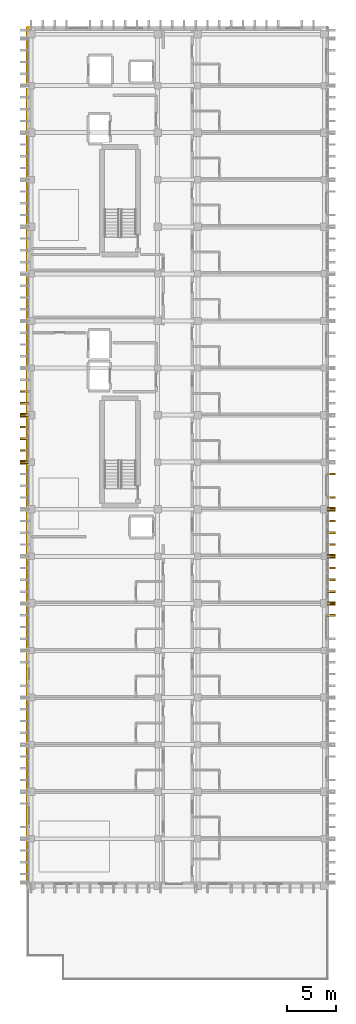
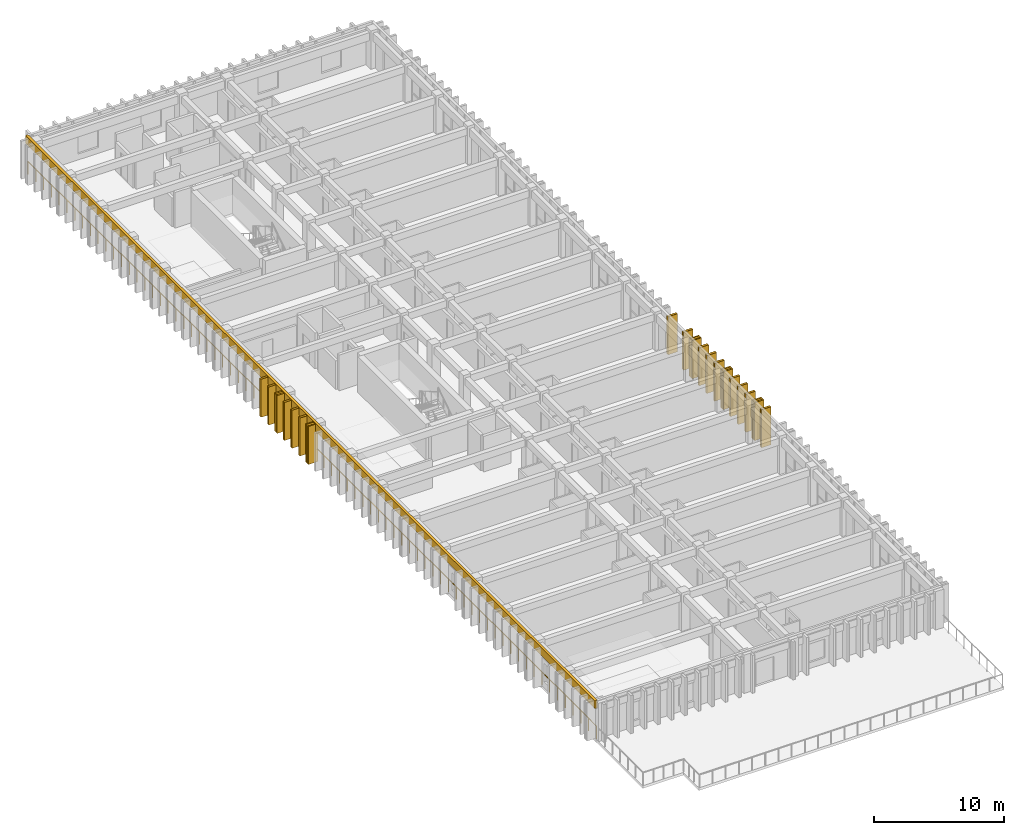
# One storey, part 60 of 64: 20 coverings, 19 shading devices, 1 railing.
"""IFC4 building model written with IfcOpenShell, lengths in metres."""

from ifc_helpers import new_model, si_unit, direction, frame, origin, origin_2d, place, context, subcontext, project, spatial, rectangle, circle, extrude, material, layer, layer_set, type_object, element, save


model = new_model("IFC4")

# Units and contexts
model_context = context("Model", 3, precision=1e-05, world=origin(), true_north=direction((0.0, 1.0)))
body_context = subcontext(model_context, "Body", "Model", "MODEL_VIEW")
ifc_project = project(units=[si_unit("LENGTHUNIT", "METRE"), si_unit("AREAUNIT", "SQUARE_METRE"), si_unit("VOLUMEUNIT", "CUBIC_METRE"), si_unit("PLANEANGLEUNIT", "RADIAN"), si_unit("MASSUNIT", "GRAM", prefix="KILO")], contexts=[model_context])

# Site, building, storey
site_placement = place(None, origin())
site = spatial("IfcSite", under=ifc_project, at=site_placement, CompositionType="ELEMENT")
building_placement = place(site_placement, origin())
building = spatial("IfcBuilding", under=site, at=building_placement, Name="Nakhvara Creek Congress Hotel", CompositionType="ELEMENT")
storey_placement = place(building_placement, frame((0.0, 0.0, 28.199951171875)))
storey = spatial("IfcBuildingStorey", under=building, at=storey_placement, Name="L06", CompositionType="ELEMENT", Elevation=28.199951171875)

# Coverings
ifc_material_1 = material(Name="Honed pale Omani limestone architectural cladding", Category="masonry")
ifc_layer_1 = layer(ifc_material_1, 0.219970703125)
ifc_layer_set_1 = layer_set([ifc_layer_1], Name="Honed pale Omani limestone architectural cladding")
covering_type_1 = type_object("IfcCoveringType", Name="COV-FIN-850", PredefinedType="CLADDING", material=ifc_layer_set_1)
covering_1_placement = place(storey_placement, frame((180.054931640625, 66.0, 0.0), z_axis=(0.0, 0.0, 1.0), x_axis=(0.0, 1.0, 0.0)))
element("IfcCovering", 1, at=covering_1_placement, inside=storey, type_object=covering_type_1, Name="Pale Limestone Fin Cladding CF01-1662", PredefinedType="CLADDING", context=body_context, shape_type="SweptSolid", body=[
    extrude(rectangle(XDim=0.219970703125, YDim=0.85009765625, at=origin_2d()), origin(), (0.0, 0.0, 1.0), 3.56005859375),
])
covering_2_placement = place(storey_placement, frame((180.054931640625, 67.199951171875, 0.0), z_axis=(0.0, 0.0, 1.0), x_axis=(0.0, 1.0, 0.0)))
element("IfcCovering", 2, at=covering_2_placement, inside=storey, type_object=covering_type_1, Name="Pale Limestone Fin Cladding CF01-1664", PredefinedType="CLADDING", context=body_context, shape_type="SweptSolid", body=[
    extrude(rectangle(XDim=0.43994140625, YDim=0.85009765625, at=origin_2d()), origin(), (0.0, 0.0, 1.0), 3.56005859375),
])
for number, where, z_axis, x_axis, name in (
    (3, (180.054931640625, 68.39990234375, 0.0), (0.0, 0.0, 1.0), (0.0, 1.0, 0.0), "Pale Limestone Fin Cladding CF01-1666"),
    (4, (180.054931640625, 69.60009765625, 0.0), (0.0, 0.0, 1.0), (0.0, 1.0, 0.0), "Pale Limestone Fin Cladding CF01-1668"),
    (5, (180.054931640625, 70.800048828125, 0.0), (0.0, 0.0, 1.0), (0.0, 1.0, 0.0), "Pale Limestone Fin Cladding CF01-1670"),
):
    element("IfcCovering", number, at=place(storey_placement, frame(where, z_axis=z_axis, x_axis=x_axis)), inside=storey, type_object=covering_type_1, Name=name, PredefinedType="CLADDING", context=body_context, shape_type="SweptSolid", body=[
        extrude(rectangle(XDim=0.219970703125, YDim=0.85009765625, at=origin_2d()), origin(), (0.0, 0.0, 1.0), 3.56005859375),
    ])
covering_3_placement = place(storey_placement, frame((180.054931640625, 72.0, 0.0), z_axis=(0.0, 0.0, 1.0), x_axis=(0.0, 1.0, 0.0)))
element("IfcCovering", 6, at=covering_3_placement, inside=storey, type_object=covering_type_1, Name="Pale Limestone Fin Cladding CF01-1672", PredefinedType="CLADDING", context=body_context, shape_type="SweptSolid", body=[
    extrude(rectangle(XDim=0.43994140625, YDim=0.85009765625, at=origin_2d()), origin(), (0.0, 0.0, 1.0), 3.56005859375),
])
for number, where, z_axis, x_axis, name in (
    (7, (180.054931640625, 73.199951171875, 0.0), (0.0, 0.0, 1.0), (0.0, 1.0, 0.0), "Pale Limestone Fin Cladding CF01-1674"),
    (8, (180.054931640625, 74.39990234375, 0.0), (0.0, 0.0, 1.0), (0.0, 1.0, 0.0), "Pale Limestone Fin Cladding CF01-1676"),
    (9, (180.054931640625, 75.60009765625, 0.0), (0.0, 0.0, 1.0), (0.0, 1.0, 0.0), "Pale Limestone Fin Cladding CF01-1678"),
):
    element("IfcCovering", number, at=place(storey_placement, frame(where, z_axis=z_axis, x_axis=x_axis)), inside=storey, type_object=covering_type_1, Name=name, PredefinedType="CLADDING", context=body_context, shape_type="SweptSolid", body=[
        extrude(rectangle(XDim=0.219970703125, YDim=0.85009765625, at=origin_2d()), origin(), (0.0, 0.0, 1.0), 3.56005859375),
    ])
covering_4_placement = place(storey_placement, frame((180.054931640625, 76.800048828125, 0.0), z_axis=(0.0, 0.0, 1.0), x_axis=(0.0, 1.0, 0.0)))
element("IfcCovering", 10, at=covering_4_placement, inside=storey, type_object=covering_type_1, Name="Pale Limestone Fin Cladding CF01-1680", PredefinedType="CLADDING", context=body_context, shape_type="SweptSolid", body=[
    extrude(rectangle(XDim=0.43994140625, YDim=0.85009765625, at=origin_2d()), origin(), (0.0, 0.0, 1.0), 3.56005859375),
])
for number, where, z_axis, x_axis, name in (
    (11, (180.054931640625, 78.0, 0.0), (0.0, 0.0, 1.0), (0.0, 1.0, 0.0), "Pale Limestone Fin Cladding CF01-1682"),
    (12, (180.054931640625, 80.39990234375, 0.0), (0.0, 0.0, 1.0), (0.0, 1.0, 0.0), "Pale Limestone Fin Cladding CF01-1685"),
):
    element("IfcCovering", number, at=place(storey_placement, frame(where, z_axis=z_axis, x_axis=x_axis)), inside=storey, type_object=covering_type_1, Name=name, PredefinedType="CLADDING", context=body_context, shape_type="SweptSolid", body=[
        extrude(rectangle(XDim=0.219970703125, YDim=0.85009765625, at=origin_2d()), origin(), (0.0, 0.0, 1.0), 3.56005859375),
    ])
covering_5_placement = place(storey_placement, frame((148.7451171875, 81.60009765625, 0.0), z_axis=(0.0, 0.0, 1.0), x_axis=(0.0, 1.0, 0.0)))
element("IfcCovering", 13, at=covering_5_placement, inside=storey, type_object=covering_type_1, Name="Pale Limestone Fin Cladding CF01-1688", PredefinedType="CLADDING", context=body_context, shape_type="SweptSolid", body=[
    extrude(rectangle(XDim=0.43994140625, YDim=0.85009765625, at=origin_2d()), origin(), (0.0, 0.0, 1.0), 3.56005859375),
])
for number, where, z_axis, x_axis, name in (
    (14, (148.7451171875, 82.800048828125, 0.0), (0.0, 0.0, 1.0), (0.0, 1.0, 0.0), "Pale Limestone Fin Cladding CF01-1690"),
    (15, (148.7451171875, 84.0, 0.0), (0.0, 0.0, 1.0), (0.0, 1.0, 0.0), "Pale Limestone Fin Cladding CF01-1692"),
    (16, (148.7451171875, 85.199951171875, 0.0), (0.0, 0.0, 1.0), (0.0, 1.0, 0.0), "Pale Limestone Fin Cladding CF01-1694"),
):
    element("IfcCovering", number, at=place(storey_placement, frame(where, z_axis=z_axis, x_axis=x_axis)), inside=storey, type_object=covering_type_1, Name=name, PredefinedType="CLADDING", context=body_context, shape_type="SweptSolid", body=[
        extrude(rectangle(XDim=0.219970703125, YDim=0.85009765625, at=origin_2d()), origin(), (0.0, 0.0, 1.0), 3.56005859375),
    ])
covering_6_placement = place(storey_placement, frame((148.7451171875, 86.39990234375, 0.0), z_axis=(0.0, 0.0, 1.0), x_axis=(0.0, 1.0, 0.0)))
element("IfcCovering", 17, at=covering_6_placement, inside=storey, type_object=covering_type_1, Name="Pale Limestone Fin Cladding CF01-1696", PredefinedType="CLADDING", context=body_context, shape_type="SweptSolid", body=[
    extrude(rectangle(XDim=0.43994140625, YDim=0.85009765625, at=origin_2d()), origin(), (0.0, 0.0, 1.0), 3.56005859375),
])
for number, where, z_axis, x_axis, name in (
    (18, (148.7451171875, 87.60009765625, 0.0), (0.0, 0.0, 1.0), (0.0, 1.0, 0.0), "Pale Limestone Fin Cladding CF01-1698"),
    (19, (148.7451171875, 88.800048828125, 0.0), (0.0, 0.0, 1.0), (0.0, 1.0, 0.0), "Pale Limestone Fin Cladding CF01-1700"),
):
    element("IfcCovering", number, at=place(storey_placement, frame(where, z_axis=z_axis, x_axis=x_axis)), inside=storey, type_object=covering_type_1, Name=name, PredefinedType="CLADDING", context=body_context, shape_type="SweptSolid", body=[
        extrude(rectangle(XDim=0.219970703125, YDim=0.85009765625, at=origin_2d()), origin(), (0.0, 0.0, 1.0), 3.56005859375),
    ])
ifc_layer_2 = layer(ifc_material_1, 0.179931640625)
ifc_layer_set_2 = layer_set([ifc_layer_2], Name="Honed pale Omani limestone architectural cladding")
covering_type_2 = type_object("IfcCoveringType", Name="COV-SPN-180", PredefinedType="CLADDING", material=ifc_layer_set_2)
covering_7_placement = place(storey_placement, frame((149.06005859375, 82.199951171875, 2.91015625), z_axis=(0.0, 0.0, 1.0), x_axis=(0.0, 1.0, 0.0)))
element("IfcCovering", 20, at=covering_7_placement, inside=storey, type_object=covering_type_2, Name="Pale Limestone Spandrel Band CF02-0066", PredefinedType="CLADDING", context=body_context, shape_type="SweptSolid", body=[
    extrude(rectangle(XDim=87.60009765625, YDim=0.219970703125, at=origin_2d()), origin(), (0.0, 0.0, 1.0), 0.72998046875),
])

# Railing
ifc_material_2 = material(Name="Brushed stainless steel 316L", Category="steel")
railing_type = type_object("IfcRailingType", Name="RL-GUARD-1200", PredefinedType="GUARDRAIL", material=ifc_material_2)
railing_placement = place(storey_placement, frame((149.1298828125, 38.47998046875, 0.0)))
element("IfcRailing", 21, at=railing_placement, inside=storey, type_object=railing_type, Name="Perimeter Safety Rail West L06", PredefinedType="GUARDRAIL", context=body_context, shape_type="SweptSolid", body=[
    extrude(circle(Radius=0.02392578125, at=origin_2d()), frame((0.0, 0.0146484375, 1.17578125), z_axis=(0.0, 1.0, 0.0), x_axis=(-1.0, 0.0, 0.0)), (0.0, 0.0, 1.0), 87.41064453125),
    extrude(circle(Radius=0.02099609375, at=origin_2d()), origin(), (0.0, 0.0, 1.0), 1.1806640625),
    extrude(circle(Radius=0.02099609375, at=origin_2d()), frame((0.0, 1.19775390625, 0.0)), (0.0, 0.0, 1.0), 1.1806640625),
    extrude(circle(Radius=0.02099609375, at=origin_2d()), frame((0.0, 2.3955078125, 0.0)), (0.0, 0.0, 1.0), 1.1806640625),
    extrude(circle(Radius=0.02099609375, at=origin_2d()), frame((0.0, 3.593505859375, 0.0)), (0.0, 0.0, 1.0), 1.1806640625),
    extrude(circle(Radius=0.02099609375, at=origin_2d()), frame((0.0, 4.791259765625, 0.0)), (0.0, 0.0, 1.0), 1.1806640625),
    extrude(circle(Radius=0.02099609375, at=origin_2d()), frame((0.0, 5.989013671875, 0.0)), (0.0, 0.0, 1.0), 1.1806640625),
    extrude(circle(Radius=0.02099609375, at=origin_2d()), frame((0.0, 7.186767578125, 0.0)), (0.0, 0.0, 1.0), 1.1806640625),
    extrude(circle(Radius=0.02099609375, at=origin_2d()), frame((0.0, 8.384765625, 0.0)), (0.0, 0.0, 1.0), 1.1806640625),
    extrude(circle(Radius=0.02099609375, at=origin_2d()), frame((0.0, 9.58251953125, 0.0)), (0.0, 0.0, 1.0), 1.1806640625),
    extrude(circle(Radius=0.02099609375, at=origin_2d()), frame((0.0, 10.7802734375, 0.0)), (0.0, 0.0, 1.0), 1.1806640625),
    extrude(circle(Radius=0.02099609375, at=origin_2d()), frame((0.0, 11.97802734375, 0.0)), (0.0, 0.0, 1.0), 1.1806640625),
    extrude(circle(Radius=0.02099609375, at=origin_2d()), frame((0.0, 13.17578125, 0.0)), (0.0, 0.0, 1.0), 1.1806640625),
    extrude(circle(Radius=0.02099609375, at=origin_2d()), frame((0.0, 14.373779296875, 0.0)), (0.0, 0.0, 1.0), 1.1806640625),
    extrude(circle(Radius=0.02099609375, at=origin_2d()), frame((0.0, 15.571533203125, 0.0)), (0.0, 0.0, 1.0), 1.1806640625),
    extrude(circle(Radius=0.02099609375, at=origin_2d()), frame((0.0, 16.769287109375, 0.0)), (0.0, 0.0, 1.0), 1.1806640625),
    extrude(circle(Radius=0.02099609375, at=origin_2d()), frame((0.0, 17.967041015625, 0.0)), (0.0, 0.0, 1.0), 1.1806640625),
    extrude(circle(Radius=0.02099609375, at=origin_2d()), frame((0.0, 19.1650390625, 0.0)), (0.0, 0.0, 1.0), 1.1806640625),
    extrude(circle(Radius=0.02099609375, at=origin_2d()), frame((0.0, 20.36279296875, 0.0)), (0.0, 0.0, 1.0), 1.1806640625),
    extrude(circle(Radius=0.02099609375, at=origin_2d()), frame((0.0, 21.560546875, 0.0)), (0.0, 0.0, 1.0), 1.1806640625),
    extrude(circle(Radius=0.02099609375, at=origin_2d()), frame((0.0, 22.75830078125, 0.0)), (0.0, 0.0, 1.0), 1.1806640625),
    extrude(circle(Radius=0.02099609375, at=origin_2d()), frame((0.0, 23.9560546875, 0.0)), (0.0, 0.0, 1.0), 1.1806640625),
    extrude(circle(Radius=0.02099609375, at=origin_2d()), frame((0.0, 25.154052734375, 0.0)), (0.0, 0.0, 1.0), 1.1806640625),
    extrude(circle(Radius=0.02099609375, at=origin_2d()), frame((0.0, 26.351806640625, 0.0)), (0.0, 0.0, 1.0), 1.1806640625),
    extrude(circle(Radius=0.02099609375, at=origin_2d()), frame((0.0, 27.549560546875, 0.0)), (0.0, 0.0, 1.0), 1.1806640625),
    extrude(circle(Radius=0.02099609375, at=origin_2d()), frame((0.0, 28.747314453125, 0.0)), (0.0, 0.0, 1.0), 1.1806640625),
    extrude(circle(Radius=0.02099609375, at=origin_2d()), frame((0.0, 29.945068359375, 0.0)), (0.0, 0.0, 1.0), 1.1806640625),
    extrude(circle(Radius=0.02099609375, at=origin_2d()), frame((0.0, 31.14306640625, 0.0)), (0.0, 0.0, 1.0), 1.1806640625),
    extrude(circle(Radius=0.02099609375, at=origin_2d()), frame((0.0, 32.3408203125, 0.0)), (0.0, 0.0, 1.0), 1.1806640625),
    extrude(circle(Radius=0.02099609375, at=origin_2d()), frame((0.0, 33.53857421875, 0.0)), (0.0, 0.0, 1.0), 1.1806640625),
    extrude(circle(Radius=0.02099609375, at=origin_2d()), frame((0.0, 34.736328125, 0.0)), (0.0, 0.0, 1.0), 1.1806640625),
    extrude(circle(Radius=0.02099609375, at=origin_2d()), frame((0.0, 35.934326171875, 0.0)), (0.0, 0.0, 1.0), 1.1806640625),
    extrude(circle(Radius=0.02099609375, at=origin_2d()), frame((0.0, 37.132080078125, 0.0)), (0.0, 0.0, 1.0), 1.1806640625),
    extrude(circle(Radius=0.02099609375, at=origin_2d()), frame((0.0, 38.329833984375, 0.0)), (0.0, 0.0, 1.0), 1.1806640625),
    extrude(circle(Radius=0.02099609375, at=origin_2d()), frame((0.0, 39.527587890625, 0.0)), (0.0, 0.0, 1.0), 1.1806640625),
    extrude(circle(Radius=0.02099609375, at=origin_2d()), frame((0.0, 40.725341796875, 0.0)), (0.0, 0.0, 1.0), 1.1806640625),
    extrude(circle(Radius=0.02099609375, at=origin_2d()), frame((0.0, 41.92333984375, 0.0)), (0.0, 0.0, 1.0), 1.1806640625),
    extrude(circle(Radius=0.02099609375, at=origin_2d()), frame((0.0, 43.12109375, 0.0)), (0.0, 0.0, 1.0), 1.1806640625),
    extrude(circle(Radius=0.02099609375, at=origin_2d()), frame((0.0, 44.31884765625, 0.0)), (0.0, 0.0, 1.0), 1.1806640625),
    extrude(circle(Radius=0.02099609375, at=origin_2d()), frame((0.0, 45.5166015625, 0.0)), (0.0, 0.0, 1.0), 1.1806640625),
    extrude(circle(Radius=0.02099609375, at=origin_2d()), frame((0.0, 46.714599609375, 0.0)), (0.0, 0.0, 1.0), 1.1806640625),
    extrude(circle(Radius=0.02099609375, at=origin_2d()), frame((0.0, 47.912353515625, 0.0)), (0.0, 0.0, 1.0), 1.1806640625),
    extrude(circle(Radius=0.02099609375, at=origin_2d()), frame((0.0, 49.110107421875, 0.0)), (0.0, 0.0, 1.0), 1.1806640625),
    extrude(circle(Radius=0.02099609375, at=origin_2d()), frame((0.0, 50.307861328125, 0.0)), (0.0, 0.0, 1.0), 1.1806640625),
    extrude(circle(Radius=0.02099609375, at=origin_2d()), frame((0.0, 51.505615234375, 0.0)), (0.0, 0.0, 1.0), 1.1806640625),
    extrude(circle(Radius=0.02099609375, at=origin_2d()), frame((0.0, 52.70361328125, 0.0)), (0.0, 0.0, 1.0), 1.1806640625),
    extrude(circle(Radius=0.02099609375, at=origin_2d()), frame((0.0, 53.9013671875, 0.0)), (0.0, 0.0, 1.0), 1.1806640625),
    extrude(circle(Radius=0.02099609375, at=origin_2d()), frame((0.0, 55.09912109375, 0.0)), (0.0, 0.0, 1.0), 1.1806640625),
    extrude(circle(Radius=0.02099609375, at=origin_2d()), frame((0.0, 56.296875, 0.0)), (0.0, 0.0, 1.0), 1.1806640625),
    extrude(circle(Radius=0.02099609375, at=origin_2d()), frame((0.0, 57.494873046875, 0.0)), (0.0, 0.0, 1.0), 1.1806640625),
    extrude(circle(Radius=0.02099609375, at=origin_2d()), frame((0.0, 58.692626953125, 0.0)), (0.0, 0.0, 1.0), 1.1806640625),
    extrude(circle(Radius=0.02099609375, at=origin_2d()), frame((0.0, 59.890380859375, 0.0)), (0.0, 0.0, 1.0), 1.1806640625),
    extrude(circle(Radius=0.02099609375, at=origin_2d()), frame((0.0, 61.088134765625, 0.0)), (0.0, 0.0, 1.0), 1.1806640625),
    extrude(circle(Radius=0.02099609375, at=origin_2d()), frame((0.0, 62.285888671875, 0.0)), (0.0, 0.0, 1.0), 1.1806640625),
    extrude(circle(Radius=0.02099609375, at=origin_2d()), frame((0.0, 63.48388671875, 0.0)), (0.0, 0.0, 1.0), 1.1806640625),
    extrude(circle(Radius=0.02099609375, at=origin_2d()), frame((0.0, 64.681640625, 0.0)), (0.0, 0.0, 1.0), 1.1806640625),
    extrude(circle(Radius=0.02099609375, at=origin_2d()), frame((0.0, 65.87939453125, 0.0)), (0.0, 0.0, 1.0), 1.1806640625),
    extrude(circle(Radius=0.02099609375, at=origin_2d()), frame((0.0, 67.0771484375, 0.0)), (0.0, 0.0, 1.0), 1.1806640625),
    extrude(circle(Radius=0.02099609375, at=origin_2d()), frame((0.0, 68.27490234375, 0.0)), (0.0, 0.0, 1.0), 1.1806640625),
    extrude(circle(Radius=0.02099609375, at=origin_2d()), frame((0.0, 69.472900390625, 0.0)), (0.0, 0.0, 1.0), 1.1806640625),
    extrude(circle(Radius=0.02099609375, at=origin_2d()), frame((0.0, 70.670654296875, 0.0)), (0.0, 0.0, 1.0), 1.1806640625),
    extrude(circle(Radius=0.02099609375, at=origin_2d()), frame((0.0, 71.868408203125, 0.0)), (0.0, 0.0, 1.0), 1.1806640625),
    extrude(circle(Radius=0.02099609375, at=origin_2d()), frame((0.0, 73.066162109375, 0.0)), (0.0, 0.0, 1.0), 1.1806640625),
    extrude(circle(Radius=0.02099609375, at=origin_2d()), frame((0.0, 74.26416015625, 0.0)), (0.0, 0.0, 1.0), 1.1806640625),
    extrude(circle(Radius=0.02099609375, at=origin_2d()), frame((0.0, 75.4619140625, 0.0)), (0.0, 0.0, 1.0), 1.1806640625),
    extrude(circle(Radius=0.02099609375, at=origin_2d()), frame((0.0, 76.65966796875, 0.0)), (0.0, 0.0, 1.0), 1.1806640625),
    extrude(circle(Radius=0.02099609375, at=origin_2d()), frame((0.0, 77.857421875, 0.0)), (0.0, 0.0, 1.0), 1.1806640625),
    extrude(circle(Radius=0.02099609375, at=origin_2d()), frame((0.0, 79.05517578125, 0.0)), (0.0, 0.0, 1.0), 1.1806640625),
    extrude(circle(Radius=0.02099609375, at=origin_2d()), frame((0.0, 80.253173828125, 0.0)), (0.0, 0.0, 1.0), 1.1806640625),
    extrude(circle(Radius=0.02099609375, at=origin_2d()), frame((0.0, 81.450927734375, 0.0)), (0.0, 0.0, 1.0), 1.1806640625),
    extrude(circle(Radius=0.02099609375, at=origin_2d()), frame((0.0, 82.648681640625, 0.0)), (0.0, 0.0, 1.0), 1.1806640625),
    extrude(circle(Radius=0.02099609375, at=origin_2d()), frame((0.0, 83.846435546875, 0.0)), (0.0, 0.0, 1.0), 1.1806640625),
    extrude(circle(Radius=0.02099609375, at=origin_2d()), frame((0.0, 85.04443359375, 0.0)), (0.0, 0.0, 1.0), 1.1806640625),
    extrude(circle(Radius=0.02099609375, at=origin_2d()), frame((0.0, 86.2421875, 0.0)), (0.0, 0.0, 1.0), 1.1806640625),
    extrude(circle(Radius=0.02099609375, at=origin_2d()), frame((0.0, 87.43994140625, 0.0)), (0.0, 0.0, 1.0), 1.1806640625),
])

# Shading devices
ifc_material_3 = material(Name="Honed pale Omani limestone cladding on stainless steel spine", Category="masonry")
shading_device_type = type_object("IfcShadingDeviceType", Name="SHD-FIN-850X3600", PredefinedType="USERDEFINED", material=ifc_material_3)
for number, where, z_axis, x_axis, name in (
    (22, (180.054931640625, 66.0, 0.0), (0.0, 0.0, 1.0), (0.0, 1.0, 0.0), "Limestone Solar Fin FN01-1527"),
    (23, (180.054931640625, 67.199951171875, 0.0), (0.0, 0.0, 1.0), (0.0, 1.0, 0.0), "Limestone Solar Fin FN01-1529"),
    (24, (180.054931640625, 68.39990234375, 0.0), (0.0, 0.0, 1.0), (0.0, 1.0, 0.0), "Limestone Solar Fin FN01-1531"),
    (25, (180.054931640625, 69.60009765625, 0.0), (0.0, 0.0, 1.0), (0.0, 1.0, 0.0), "Limestone Solar Fin FN01-1533"),
    (26, (180.054931640625, 70.800048828125, 0.0), (0.0, 0.0, 1.0), (0.0, 1.0, 0.0), "Limestone Solar Fin FN01-1535"),
    (27, (180.054931640625, 72.0, 0.0), (0.0, 0.0, 1.0), (0.0, 1.0, 0.0), "Limestone Solar Fin FN01-1537"),
    (28, (180.054931640625, 73.199951171875, 0.0), (0.0, 0.0, 1.0), (0.0, 1.0, 0.0), "Limestone Solar Fin FN01-1539"),
    (29, (180.054931640625, 74.39990234375, 0.0), (0.0, 0.0, 1.0), (0.0, 1.0, 0.0), "Limestone Solar Fin FN01-1541"),
    (30, (180.054931640625, 75.60009765625, 0.0), (0.0, 0.0, 1.0), (0.0, 1.0, 0.0), "Limestone Solar Fin FN01-1543"),
    (31, (180.054931640625, 76.800048828125, 0.0), (0.0, 0.0, 1.0), (0.0, 1.0, 0.0), "Limestone Solar Fin FN01-1545"),
    (32, (180.054931640625, 78.0, 0.0), (0.0, 0.0, 1.0), (0.0, 1.0, 0.0), "Limestone Solar Fin FN01-1547"),
    (33, (180.054931640625, 80.39990234375, 0.0), (0.0, 0.0, 1.0), (0.0, 1.0, 0.0), "Limestone Solar Fin FN01-1550"),
    (34, (148.7451171875, 81.60009765625, 0.0), (0.0, 0.0, 1.0), (0.0, 1.0, 0.0), "Limestone Solar Fin FN01-1553"),
    (35, (148.7451171875, 82.800048828125, 0.0), (0.0, 0.0, 1.0), (0.0, 1.0, 0.0), "Limestone Solar Fin FN01-1555"),
    (36, (148.7451171875, 84.0, 0.0), (0.0, 0.0, 1.0), (0.0, 1.0, 0.0), "Limestone Solar Fin FN01-1557"),
    (37, (148.7451171875, 85.199951171875, 0.0), (0.0, 0.0, 1.0), (0.0, 1.0, 0.0), "Limestone Solar Fin FN01-1559"),
    (38, (148.7451171875, 86.39990234375, 0.0), (0.0, 0.0, 1.0), (0.0, 1.0, 0.0), "Limestone Solar Fin FN01-1561"),
    (39, (148.7451171875, 87.60009765625, 0.0), (0.0, 0.0, 1.0), (0.0, 1.0, 0.0), "Limestone Solar Fin FN01-1563"),
    (40, (148.7451171875, 88.800048828125, 0.0), (0.0, 0.0, 1.0), (0.0, 1.0, 0.0), "Limestone Solar Fin FN01-1565"),
):
    element("IfcShadingDevice", number, at=place(storey_placement, frame(where, z_axis=z_axis, x_axis=x_axis)), inside=storey, type_object=shading_device_type, Name=name, ObjectType="FIN", PredefinedType="USERDEFINED", context=body_context, shape_type="SweptSolid", body=[
        extrude(rectangle(XDim=0.179931640625, YDim=0.85009765625, at=origin_2d()), origin(), (0.0, 0.0, 1.0), 3.56005859375),
    ])

save(model, "model.ifc")
